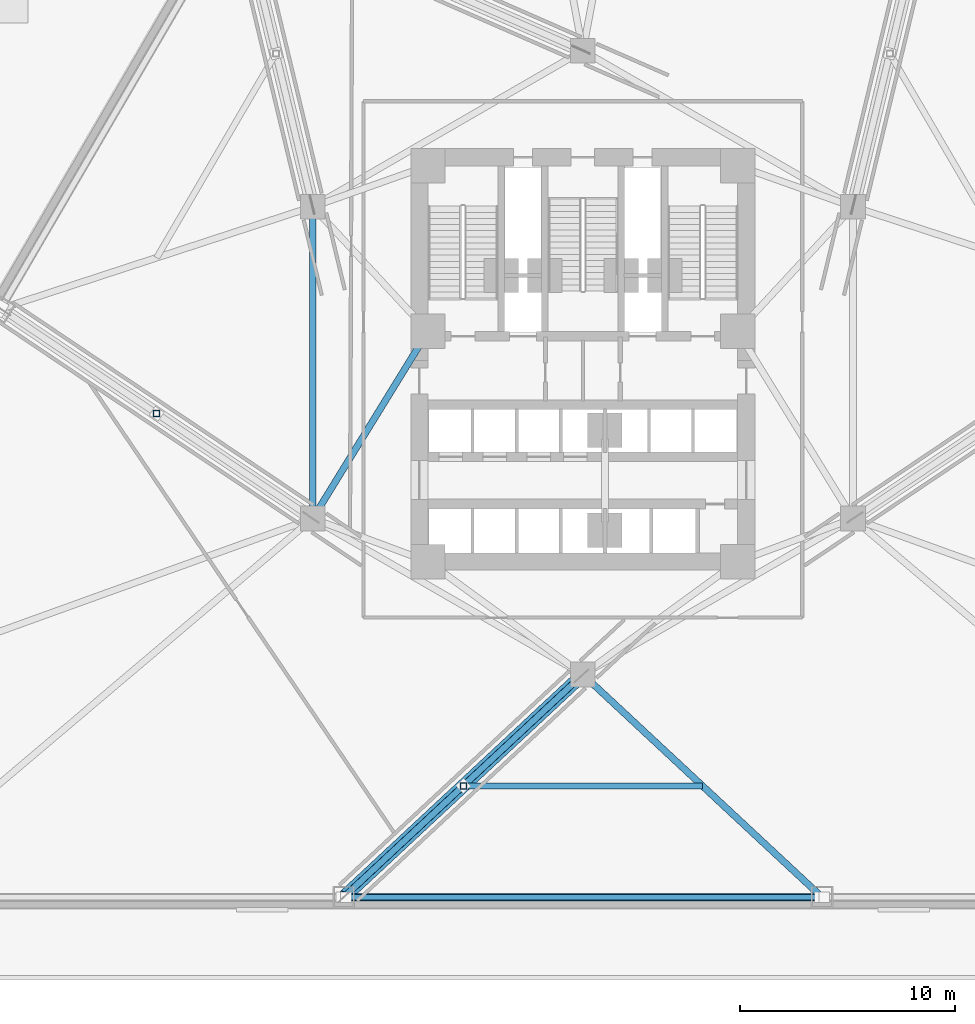
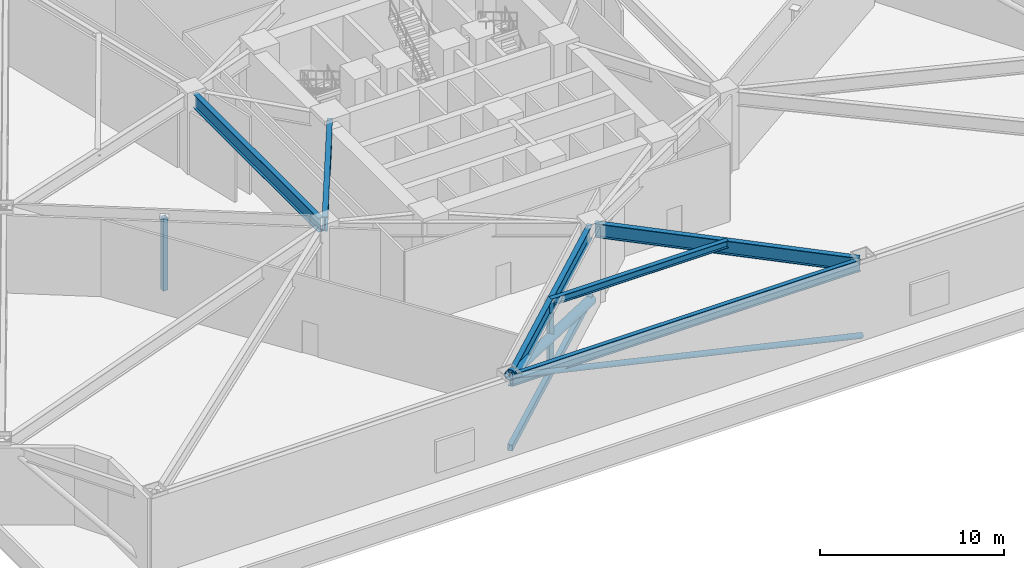
# One storey, part 2 of 23: 6 beams, 5 members.
"""IFC4 building model written with IfcOpenShell, lengths in metres."""

from ifc_helpers import new_model, si_unit, direction, frame, origin, origin_2d, place, context, subcontext, project, spatial, hollow_rectangle, hollow_circle, i_section, extrude, material, material_profile, profile_set, type_object, element, save


model = new_model("IFC4")

# Units and contexts
model_context = context("Model", 3, precision=1e-05, world=origin(), true_north=direction((0.0, 1.0)))
body_context = subcontext(model_context, "Body", "Model", "MODEL_VIEW")
ifc_project = project(units=[si_unit("LENGTHUNIT", "METRE"), si_unit("AREAUNIT", "SQUARE_METRE"), si_unit("VOLUMEUNIT", "CUBIC_METRE"), si_unit("PLANEANGLEUNIT", "RADIAN"), si_unit("MASSUNIT", "GRAM", prefix="KILO")], contexts=[model_context])

# Site, building, storey
site_placement = place(None, origin())
site = spatial("IfcSite", under=ifc_project, at=site_placement, CompositionType="ELEMENT")
building_placement = place(site_placement, origin())
building = spatial("IfcBuilding", under=site, at=building_placement, Name="Apsidion Concourse Tower", CompositionType="ELEMENT")
storey_placement = place(building_placement, frame((0.0, 0.0, 29.0)))
storey = spatial("IfcBuildingStorey", under=building, at=storey_placement, Name="L05", CompositionType="ELEMENT", Elevation=29.0)

# Beams
ifc_material_1 = material(Name="Structural steel ASTM A992 Grade 50", Category="steel")
ifc_material_profile_1 = material_profile(ifc_material_1, i_section(OverallWidth=0.283935546875, OverallDepth=0.47607421875, WebThickness=0.014892578125, FlangeThickness=0.02392578125, at=origin_2d()), Name="W18X106")
ifc_profile_set_1 = profile_set([ifc_material_profile_1], Name="Structural steel ASTM A992 Grade 50")
beam_type_1 = type_object("IfcBeamType", Name="BM-FL-W18H", PredefinedType="BEAM", material=ifc_profile_set_1)
beam_1_placement = place(storey_placement, frame((-5.558349609375, -19.675048828125, 4.912109375), z_axis=(1.0, 0.0, 0.0), x_axis=(0.0, 1.0, 0.0)))
element("IfcBeam", 1, at=beam_1_placement, inside=storey, type_object=beam_type_1, Name="L05 Secondary Floor Beam SEC-F2", PredefinedType="BEAM", context=body_context, shape_type="SweptSolid", body=[
    extrude(i_section(OverallWidth=0.283935546875, OverallDepth=0.47607421875, WebThickness=0.014892578125, FlangeThickness=0.02392578125, at=origin_2d()), origin(), (0.0, 0.0, 1.0), 11.11669921875),
])
ifc_material_profile_2 = material_profile(ifc_material_1, i_section(OverallWidth=0.31005859375, OverallDepth=0.931884765625, WebThickness=0.02099609375, FlangeThickness=0.034423828125, at=origin_2d()), Name="W36X210")
ifc_profile_set_2 = profile_set([ifc_material_profile_2], Name="Structural steel ASTM A992 Grade 50")
beam_type_2 = type_object("IfcBeamType", Name="BM-G-W36", PredefinedType="USERDEFINED", material=ifc_profile_set_2)
beam_2_placement = place(storey_placement, frame((-12.35009765625, -6.909423828125, 4.68408203125), z_axis=(0.524524009763, 0.851395656074, 0.0), x_axis=(-0.851395656074, 0.524524009763, 0.0)))
element("IfcBeam", 2, at=beam_2_placement, inside=storey, type_object=beam_type_2, Name="L05 Core Coupling Girder IC1-SC6", ObjectType="GIRDER", PredefinedType="USERDEFINED", context=body_context, shape_type="SweptSolid", body=[
    extrude(i_section(OverallWidth=0.31005859375, OverallDepth=0.931884765625, WebThickness=0.02099609375, FlangeThickness=0.034423828125, at=origin_2d()), origin(), (0.0, 0.0, 1.0), 9.41845703125),
])
beam_3_placement = place(storey_placement, frame((-12.56005859375, -6.85009765625, 4.68408203125), z_axis=(0.0, 1.0, 0.0), x_axis=(-1.0, 0.0, 0.0)))
element("IfcBeam", 3, at=beam_3_placement, inside=storey, type_object=beam_type_2, Name="L05 Core Coupling Girder IC1-IC5", ObjectType="GIRDER", PredefinedType="USERDEFINED", context=body_context, shape_type="SweptSolid", body=[
    extrude(i_section(OverallWidth=0.31005859375, OverallDepth=0.931884765625, WebThickness=0.02099609375, FlangeThickness=0.034423828125, at=origin_2d()), origin(), (0.0, 0.0, 1.0), 13.7001953125),
])
for number, where, z_axis, x_axis, name in (
    (4, (-0.160888671875, -14.64990234375, 4.68408203125), (-0.731899098402, -0.681413024353, 0.0), (0.681413024353, -0.731899098402, 0.0), "L05 Radial Floor Girder RAD-06"),
    (5, (0.160888671875, -14.64990234375, 4.68408203125), (0.731899098402, -0.681413024353, 0.0), (0.681413024353, 0.731899098402, 0.0), "L05 Radial Floor Girder RAD-07"),
):
    element("IfcBeam", number, at=place(storey_placement, frame(where, z_axis=z_axis, x_axis=x_axis)), inside=storey, type_object=beam_type_2, Name=name, ObjectType="GIRDER", PredefinedType="USERDEFINED", context=body_context, shape_type="SweptSolid", body=[
        extrude(i_section(OverallWidth=0.31005859375, OverallDepth=0.931884765625, WebThickness=0.02099609375, FlangeThickness=0.034423828125, at=origin_2d()), origin(), (0.0, 0.0, 1.0), 14.749267578125),
    ])
ifc_material_profile_3 = material_profile(ifc_material_1, i_section(OverallWidth=0.26806640625, OverallDepth=0.77001953125, WebThickness=0.015625, FlangeThickness=0.025390625, at=origin_2d()), Name="W30X132")
ifc_profile_set_3 = profile_set([ifc_material_profile_3], Name="Structural steel ASTM A992 Grade 50")
beam_type_3 = type_object("IfcBeamType", Name="BM-SP-W30", PredefinedType="SPANDREL", material=ifc_profile_set_3)
beam_4_placement = place(storey_placement, frame((-10.896728515625, -24.85009765625, 4.764892578125), z_axis=(1.0, 0.0, 0.0), x_axis=(0.0, 1.0, 0.0)))
element("IfcBeam", 6, at=beam_4_placement, inside=storey, type_object=beam_type_3, Name="L05 Perimeter Spandrel Girder SP-06", PredefinedType="SPANDREL", context=body_context, shape_type="SweptSolid", body=[
    extrude(i_section(OverallWidth=0.26806640625, OverallDepth=0.77001953125, WebThickness=0.015625, FlangeThickness=0.025390625, at=origin_2d()), origin(), (0.0, 0.0, 1.0), 21.79345703125),
])

# Members
ifc_material_2 = material(Name="Structural steel ASTM A500 Grade C", Category="steel")
ifc_material_profile_4 = material_profile(ifc_material_2, hollow_circle(Radius=0.177978515625, WallThickness=0.02001953125, at=origin_2d()), Name="CHS356X20")
ifc_profile_set_4 = profile_set([ifc_material_profile_4], Name="Structural steel ASTM A500 Grade C")
member_type_1 = type_object("IfcMemberType", Name="MB-BR-CHS356", PredefinedType="BRACE", material=ifc_profile_set_4)
member_1_placement = place(storey_placement, frame((11.0166015625, -24.85009765625, 0.0), z_axis=(-0.974724871199, 0.0, 0.22340865128), x_axis=(0.0, -1.0, 0.0)))
element("IfcMember", 7, at=member_1_placement, inside=storey, type_object=member_type_1, Name="L05 Perimeter Belt-Truss Diagonal BT-06", PredefinedType="BRACE", context=body_context, shape_type="SweptSolid", body=[
    extrude(hollow_circle(Radius=0.177978515625, WallThickness=0.02001953125, at=origin_2d()), origin(), (0.0, 0.0, 1.0), 22.6044921875),
])
ifc_material_3 = material(Name="Structural steel ASTM A572 Grade 50", Category="steel")
ifc_material_profile_5 = material_profile(ifc_material_3, hollow_circle(Radius=0.304931640625, WallThickness=0.031982421875, at=origin_2d()), Name="CHS610X32")
ifc_profile_set_5 = profile_set([ifc_material_profile_5], Name="Structural steel ASTM A572 Grade 50")
member_type_2 = type_object("IfcMemberType", Name="MB-BR-CHS610", PredefinedType="BRACE", material=ifc_profile_set_5)
member_2_placement = place(storey_placement, frame((-0.0732421875, -14.568115234375, 0.0), z_axis=(-0.693579186473, -0.645759977863, 0.319283515205), x_axis=(0.681426350288, -0.731886691458, 0.0)))
element("IfcMember", 8, at=member_2_placement, inside=storey, type_object=member_type_2, Name="L05 Radial Outrigger Truss Diagonal OT-06", PredefinedType="BRACE", context=body_context, shape_type="SweptSolid", body=[
    extrude(hollow_circle(Radius=0.304931640625, WallThickness=0.031982421875, at=origin_2d()), origin(), (0.0, 0.0, 1.0), 15.81689453125),
])
ifc_material_profile_6 = material_profile(ifc_material_2, hollow_rectangle(XDim=0.300048828125, YDim=0.39990234375, WallThickness=0.02001953125, at=origin_2d()), Name="HSS400X300X20")
ifc_profile_set_6 = profile_set([ifc_material_profile_6], Name="Structural steel ASTM A500 Grade C")
member_type_3 = type_object("IfcMemberType", Name="MB-CH-HSS400", PredefinedType="CHORD", material=ifc_profile_set_6)
member_3_placement = place(storey_placement, frame((-0.0732421875, -14.568115234375, 0.219970703125), z_axis=(-0.731886691458, -0.681426350288, 0.0), x_axis=(0.681426350288, -0.731886691458, 0.0)))
element("IfcMember", 9, at=member_3_placement, inside=storey, type_object=member_type_3, Name="L05 Radial Outrigger Bottom Chord OTC-06", PredefinedType="CHORD", context=body_context, shape_type="SweptSolid", body=[
    extrude(hollow_rectangle(XDim=0.300048828125, YDim=0.39990234375, WallThickness=0.02001953125, at=origin_2d()), origin(), (0.0, 0.0, 1.0), 14.989013671875),
])
ifc_material_profile_7 = material_profile(ifc_material_2, hollow_rectangle(XDim=0.300048828125, YDim=0.300048828125, WallThickness=0.02001953125, at=origin_2d()), Name="HSS300X300X20")
ifc_profile_set_7 = profile_set([ifc_material_profile_7], Name="Structural steel ASTM A500 Grade C")
member_type_4 = type_object("IfcMemberType", Name="MB-ST-HSS300", PredefinedType="STRUT", material=ifc_profile_set_7)
for number, where, z_axis, x_axis, name in (
    (10, (-19.8125, -2.371826171875, 0.219970703125), (0.0, 0.0, 1.0), (1.0, 0.0, 0.0), "L05 Outrigger Truss Compression Strut OTV-01"),
    (11, (-5.558349609375, -19.675048828125, 0.219970703125), (0.0, 0.0, 1.0), (1.0, 0.0, 0.0), "L05 Outrigger Truss Compression Strut OTV-06"),
):
    element("IfcMember", number, at=place(storey_placement, frame(where, z_axis=z_axis, x_axis=x_axis)), inside=storey, type_object=member_type_4, Name=name, PredefinedType="STRUT", context=body_context, shape_type="SweptSolid", body=[
        extrude(hollow_rectangle(XDim=0.300048828125, YDim=0.300048828125, WallThickness=0.02001953125, at=origin_2d()), origin(), (0.0, 0.0, 1.0), 4.830078125),
    ])

save(model, "model.ifc")
